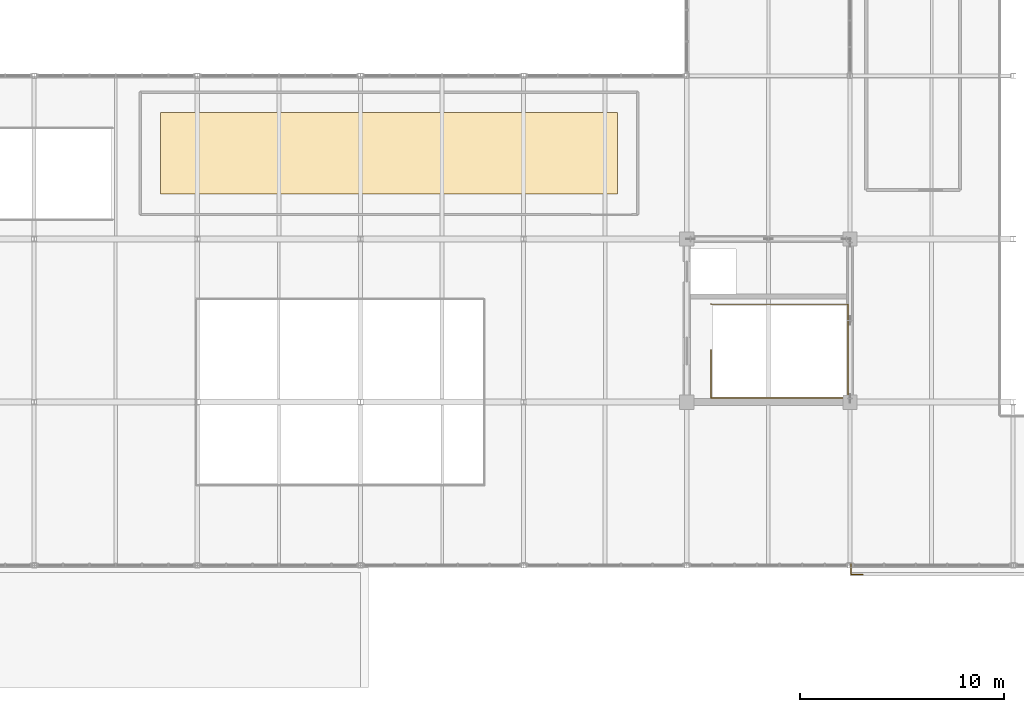
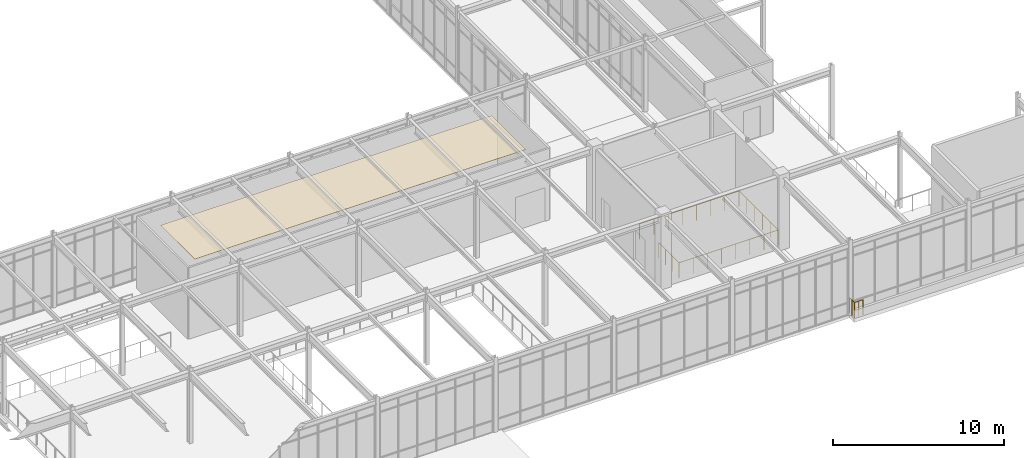
# One storey, part 176 of 184: 2 railings, 1 covering.
"""IFC4 building model written with IfcOpenShell, lengths in metres."""

from ifc_helpers import new_model, si_unit, direction, frame, origin, origin_2d, place, context, subcontext, project, spatial, rectangle, circle, extrude, material, layer, layer_set, type_object, element, save


model = new_model("IFC4")

# Units and contexts
model_context = context("Model", 3, precision=1e-05, world=origin(), true_north=direction((0.0, 1.0)))
body_context = subcontext(model_context, "Body", "Model", "MODEL_VIEW")
ifc_project = project(units=[si_unit("LENGTHUNIT", "METRE"), si_unit("AREAUNIT", "SQUARE_METRE"), si_unit("VOLUMEUNIT", "CUBIC_METRE"), si_unit("PLANEANGLEUNIT", "RADIAN"), si_unit("MASSUNIT", "GRAM", prefix="KILO")], contexts=[model_context])

# Site, building, storey
site_placement = place(None, origin())
site = spatial("IfcSite", under=ifc_project, at=site_placement, CompositionType="ELEMENT")
building_placement = place(site_placement, origin())
building = spatial("IfcBuilding", under=site, at=building_placement, Name="Zhaolan Boulevard Law Courts", CompositionType="ELEMENT")
storey_placement = place(building_placement, frame((0.0, 0.0, 5.39990234375)))
storey = spatial("IfcBuildingStorey", under=building, at=storey_placement, Name="L01", CompositionType="ELEMENT", Elevation=5.39990234375)

# Covering
ifc_material_1 = material(Name="Perforated acoustic gypsum and timber-slat ceiling", Category="wood")
ifc_layer = layer(ifc_material_1, 0.02490234375)
ifc_layer_set = layer_set([ifc_layer])
covering_type = type_object("IfcCoveringType", Name="ACOUSTIC CEILING 25", PredefinedType="CEILING", material=ifc_layer_set)
covering_placement = place(storey_placement, frame((101.39990234375, 26.199951171875, 4.717529296875), z_axis=(0.0, 0.0, 1.0), x_axis=(1.0, 0.0, 0.0)))
element("IfcCovering", 1, at=covering_placement, inside=storey, type_object=covering_type, Name="Acoustic Baffle Ceiling CLG-04", PredefinedType="CEILING", context=body_context, shape_type="SweptSolid", body=[
    extrude(rectangle(XDim=22.39990234375, YDim=4.0, at=origin_2d()), origin(), (0.0, 0.0, 1.0), 0.02490234375),
])

# Railings
ifc_material_2 = material(Name="Powder-coated steel baluster guardrail", Category="steel")
railing_type = type_object("IfcRailingType", Name="STAIR WELL GUARDRAIL 1120", PredefinedType="GUARDRAIL", material=ifc_material_2)
railing_1_placement = place(storey_placement, frame((117.18994140625, 16.56005859375, 0.0)))
element("IfcRailing", 2, at=railing_1_placement, inside=storey, type_object=railing_type, Name="Stair-Well Floor Guardrail WG-ST05-L00", PredefinedType="GUARDRAIL", context=body_context, shape_type="SweptSolid", body=[
    extrude(circle(Radius=0.02392578125, at=origin_2d()), frame((0.0, 0.0, 1.09619140625), z_axis=(0.0, -1.0, 0.0), x_axis=(1.0, 0.0, 0.0)), (0.0, 0.0, 1.0), 2.360107421875),
    extrude(circle(Radius=0.02392578125, at=origin_2d()), frame((0.0, -2.360107421875, 1.09619140625), z_axis=(1.0, 0.0, 0.0), x_axis=(0.0, 1.0, 0.0)), (0.0, 0.0, 1.0), 6.7099609375),
    extrude(circle(Radius=0.02392578125, at=origin_2d()), frame((6.7099609375, -2.360107421875, 1.09619140625), z_axis=(0.0, 1.0, 0.0), x_axis=(-1.0, 0.0, 0.0)), (0.0, 0.0, 1.0), 4.60009765625),
    extrude(circle(Radius=0.02392578125, at=origin_2d()), frame((6.7099609375, 2.239990234375, 1.09619140625), z_axis=(-1.0, 0.0, 0.0), x_axis=(0.0, -1.0, 0.0)), (0.0, 0.0, 1.0), 6.7099609375),
    extrude(circle(Radius=0.02392578125, at=origin_2d()), frame((0.0, 2.239990234375, 1.09619140625), z_axis=(0.0, 1.0, 0.0), x_axis=(-1.0, 0.0, 0.0)), (0.0, 0.0, 1.0), 0.02001953125),
    extrude(circle(Radius=0.02099609375, at=origin_2d()), origin(), (0.0, 0.0, 1.0), 1.072021484375),
    extrude(circle(Radius=0.02099609375, at=origin_2d()), frame((0.0, -0.78662109375, 0.0)), (0.0, 0.0, 1.0), 1.072021484375),
    extrude(circle(Radius=0.02099609375, at=origin_2d()), frame((0.0, -1.573486328125, 0.0)), (0.0, 0.0, 1.0), 1.072021484375),
    extrude(circle(Radius=0.02099609375, at=origin_2d()), frame((0.0, -2.360107421875, 0.0)), (0.0, 0.0, 1.0), 1.072021484375),
    extrude(circle(Radius=0.02099609375, at=origin_2d()), frame((0.95849609375, -2.360107421875, 0.0)), (0.0, 0.0, 1.0), 1.072021484375),
    extrude(circle(Radius=0.02099609375, at=origin_2d()), frame((1.917236328125, -2.360107421875, 0.0)), (0.0, 0.0, 1.0), 1.072021484375),
    extrude(circle(Radius=0.02099609375, at=origin_2d()), frame((2.875732421875, -2.360107421875, 0.0)), (0.0, 0.0, 1.0), 1.072021484375),
    extrude(circle(Radius=0.02099609375, at=origin_2d()), frame((3.834228515625, -2.360107421875, 0.0)), (0.0, 0.0, 1.0), 1.072021484375),
    extrude(circle(Radius=0.02099609375, at=origin_2d()), frame((4.792724609375, -2.360107421875, 0.0)), (0.0, 0.0, 1.0), 1.072021484375),
    extrude(circle(Radius=0.02099609375, at=origin_2d()), frame((5.75146484375, -2.360107421875, 0.0)), (0.0, 0.0, 1.0), 1.072021484375),
    extrude(circle(Radius=0.02099609375, at=origin_2d()), frame((6.7099609375, -2.360107421875, 0.0)), (0.0, 0.0, 1.0), 1.072021484375),
    extrude(circle(Radius=0.02099609375, at=origin_2d()), frame((6.7099609375, -1.440185546875, 0.0)), (0.0, 0.0, 1.0), 1.072021484375),
    extrude(circle(Radius=0.02099609375, at=origin_2d()), frame((6.7099609375, -0.52001953125, 0.0)), (0.0, 0.0, 1.0), 1.072021484375),
    extrude(circle(Radius=0.02099609375, at=origin_2d()), frame((6.7099609375, 0.39990234375, 0.0)), (0.0, 0.0, 1.0), 1.072021484375),
    extrude(circle(Radius=0.02099609375, at=origin_2d()), frame((6.7099609375, 1.320068359375, 0.0)), (0.0, 0.0, 1.0), 1.072021484375),
    extrude(circle(Radius=0.02099609375, at=origin_2d()), frame((6.7099609375, 2.239990234375, 0.0)), (0.0, 0.0, 1.0), 1.072021484375),
    extrude(circle(Radius=0.02099609375, at=origin_2d()), frame((5.75146484375, 2.239990234375, 0.0)), (0.0, 0.0, 1.0), 1.072021484375),
    extrude(circle(Radius=0.02099609375, at=origin_2d()), frame((4.792724609375, 2.239990234375, 0.0)), (0.0, 0.0, 1.0), 1.072021484375),
    extrude(circle(Radius=0.02099609375, at=origin_2d()), frame((3.834228515625, 2.239990234375, 0.0)), (0.0, 0.0, 1.0), 1.072021484375),
    extrude(circle(Radius=0.02099609375, at=origin_2d()), frame((2.875732421875, 2.239990234375, 0.0)), (0.0, 0.0, 1.0), 1.072021484375),
    extrude(circle(Radius=0.02099609375, at=origin_2d()), frame((1.917236328125, 2.239990234375, 0.0)), (0.0, 0.0, 1.0), 1.072021484375),
    extrude(circle(Radius=0.02099609375, at=origin_2d()), frame((0.95849609375, 2.239990234375, 0.0)), (0.0, 0.0, 1.0), 1.072021484375),
    extrude(circle(Radius=0.02099609375, at=origin_2d()), frame((0.0, 2.239990234375, 0.0)), (0.0, 0.0, 1.0), 1.072021484375),
    extrude(circle(Radius=0.02099609375, at=origin_2d()), frame((0.0, 2.260009765625, 0.0)), (0.0, 0.0, 1.0), 1.072021484375),
])
railing_2_placement = place(storey_placement, frame((124.06005859375, 6.1201171875, 0.0)))
element("IfcRailing", 3, at=railing_2_placement, inside=storey, type_object=railing_type, Name="Slab Corner Guardrail GR-CRN-L01-V1SW", PredefinedType="GUARDRAIL", context=body_context, shape_type="SweptSolid", body=[
    extrude(circle(Radius=0.02392578125, at=origin_2d()), frame((0.0, 0.0, 1.09619140625), z_axis=(0.0, -1.0, 0.0), x_axis=(1.0, 0.0, 0.0)), (0.0, 0.0, 1.0), 0.580078125),
    extrude(circle(Radius=0.02392578125, at=origin_2d()), frame((0.0, -0.580078125, 1.09619140625), z_axis=(1.0, 0.0, 0.0), x_axis=(0.0, 1.0, 0.0)), (0.0, 0.0, 1.0), 0.579833984375),
    extrude(circle(Radius=0.02099609375, at=origin_2d()), origin(), (0.0, 0.0, 1.0), 1.072021484375),
    extrude(circle(Radius=0.02099609375, at=origin_2d()), frame((0.0, -0.2900390625, 0.0)), (0.0, 0.0, 1.0), 1.072021484375),
    extrude(circle(Radius=0.02099609375, at=origin_2d()), frame((0.0, -0.580078125, 0.0)), (0.0, 0.0, 1.0), 1.072021484375),
    extrude(circle(Radius=0.02099609375, at=origin_2d()), frame((0.2900390625, -0.580078125, 0.0)), (0.0, 0.0, 1.0), 1.072021484375),
    extrude(circle(Radius=0.02099609375, at=origin_2d()), frame((0.579833984375, -0.580078125, 0.0)), (0.0, 0.0, 1.0), 1.072021484375),
])

save(model, "model.ifc")
